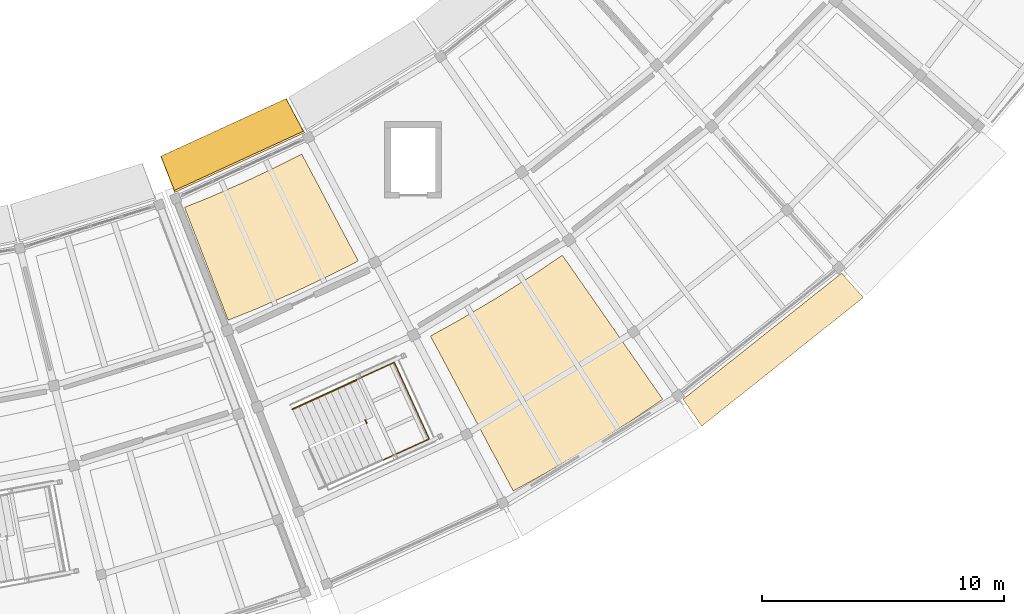
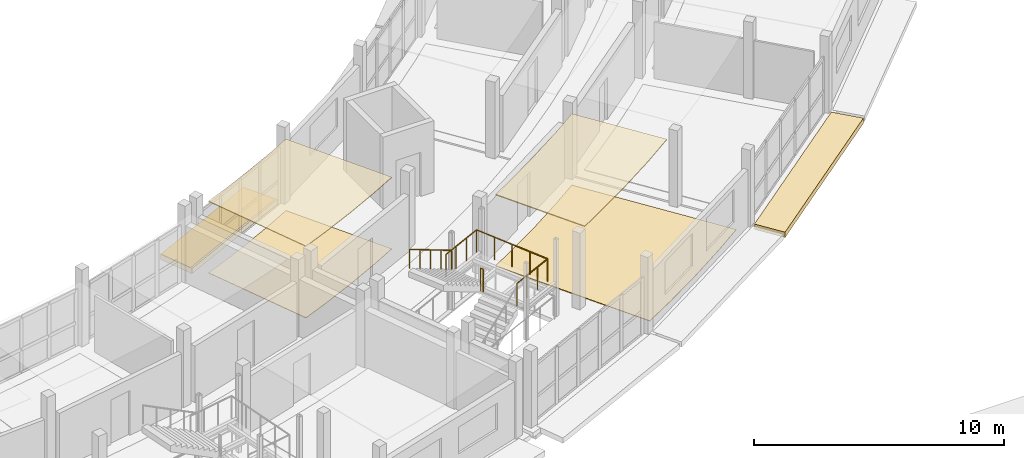
# One storey, part 65 of 66: 6 coverings, 3 railings, 1 shading device.
"""IFC4 building model written with IfcOpenShell, lengths in metres."""

from ifc_helpers import new_model, si_unit, direction, frame, origin, origin_2d, place, context, subcontext, project, spatial, polyline, circle, outline, extrude, material, layer, layer_set, type_object, element, save


model = new_model("IFC4")

# Units and contexts
model_context = context("Model", 3, precision=1e-05, world=origin(), true_north=direction((0.0, 1.0)))
body_context = subcontext(model_context, "Body", "Model", "MODEL_VIEW")
ifc_project = project(units=[si_unit("LENGTHUNIT", "METRE"), si_unit("AREAUNIT", "SQUARE_METRE"), si_unit("VOLUMEUNIT", "CUBIC_METRE"), si_unit("PLANEANGLEUNIT", "RADIAN"), si_unit("MASSUNIT", "GRAM", prefix="KILO")], contexts=[model_context])

# Site, building, storey
site_placement = place(None, origin())
site = spatial("IfcSite", under=ifc_project, at=site_placement, CompositionType="ELEMENT")
building_placement = place(site_placement, origin())
building = spatial("IfcBuilding", under=site, at=building_placement, Name="Caldaven Crescent School", CompositionType="ELEMENT")
storey_placement = place(building_placement, frame((0.0, 0.0, 8.159912109375)))
storey = spatial("IfcBuildingStorey", under=building, at=storey_placement, Name="L02", CompositionType="ELEMENT", Elevation=8.159912109375)

# Coverings
ifc_material_1 = material(Name="White architectural GFRC precast concrete C35/45 cladding", Category="concrete")
ifc_layer_1 = layer(ifc_material_1, 0.260009765625)
ifc_layer_set_1 = layer_set([ifc_layer_1], Name="White architectural GFRC precast concrete C35/45 cladding")
covering_type_1 = type_object("IfcCoveringType", Name="COV-CLD2", PredefinedType="CLADDING", material=ifc_layer_set_1)
covering_1_placement = place(storey_placement, frame((0.0, 0.0, -0.260009765625)))
element("IfcCovering", 1, at=covering_1_placement, inside=storey, type_object=covering_type_1, Name="CLD-IN-L02-053", PredefinedType="CLADDING", context=body_context, shape_type="SweptSolid", body=[
    extrude(outline(polyline([(106.507568359375, 48.90625), (111.70849609375, 51.298095703125), (112.458251953125, 49.884521484375), (107.0927734375, 47.4169921875), (106.507568359375, 48.90625)])), origin(), (0.0, 0.0, 1.0), 0.260009765625),
])
covering_2_placement = place(storey_placement, frame((0.0, 0.0, -0.260009765625)))
element("IfcCovering", 2, at=covering_2_placement, inside=storey, type_object=covering_type_1, Name="CLD-OUT-L02-058", PredefinedType="CLADDING", context=body_context, shape_type="SweptSolid", body=[
    extrude(outline(polyline([(128.095458984375, 38.865234375), (134.65087890625, 44.07958984375), (135.55322265625, 43.075439453125), (128.87109375, 37.760009765625), (128.095458984375, 38.865234375)])), origin(), (0.0, 0.0, 1.0), 0.260009765625),
])
ifc_material_2 = material(Name="Perforated Pino Radiata acoustic timber baffle ceiling", Category="wood")
ifc_layer_2 = layer(ifc_material_2, 0.0380859375)
ifc_layer_set_2 = layer_set([ifc_layer_2], Name="Perforated Pino Radiata acoustic timber baffle ceiling")
covering_type_2 = type_object("IfcCoveringType", Name="COV-CLG2", PredefinedType="CEILING", material=ifc_layer_set_2)
covering_3_placement = place(storey_placement, frame((0.0, 0.0, 3.482177734375)))
element("IfcCovering", 3, at=covering_3_placement, inside=storey, type_object=covering_type_2, Name="CLG-L02-157", PredefinedType="CEILING", context=body_context, shape_type="SweptSolid", body=[
    extrude(outline(polyline([(108.5185546875, 47.208984375), (108.53076171875, 47.214111328125), (109.943603515625, 47.8330078125), (109.955810546875, 47.83837890625), (111.349853515625, 48.498779296875), (111.36181640625, 48.504638671875), (112.341064453125, 49.004150390625), (114.677978515625, 44.584228515625), (113.56201171875, 44.014892578125), (112.023193359375, 43.285888671875), (110.46337890625, 42.6025390625), (109.3017578125, 42.1337890625), (107.4990234375, 46.797607421875), (108.5185546875, 47.208984375)])), origin(), (0.0, 0.0, 1.0), 0.037841796875),
])
ifc_layer_3 = layer(ifc_material_2, 0.0458984375)
ifc_layer_set_3 = layer_set([ifc_layer_3], Name="Perforated Pino Radiata acoustic timber baffle ceiling")
covering_type_3 = type_object("IfcCoveringType", Name="COV-CLG3", PredefinedType="CEILING", material=ifc_layer_set_3)
covering_4_placement = place(storey_placement, frame((0.0, 0.0, 3.47412109375)))
element("IfcCovering", 4, at=covering_4_placement, inside=storey, type_object=covering_type_3, Name="CLG-L02-158", PredefinedType="CEILING", context=body_context, shape_type="SweptSolid", body=[
    extrude(outline(polyline([(118.856201171875, 42.14306640625), (118.86767578125, 42.149658203125), (120.42578125, 43.0732421875), (120.43701171875, 43.080078125), (121.96728515625, 44.049072265625), (121.978515625, 44.056396484375), (123.112060546875, 44.82177734375), (125.51171875, 41.3779296875), (124.08740234375, 40.41748046875), (122.13818359375, 39.19970703125), (120.14794921875, 38.0498046875), (119.638671875, 37.77880859375), (117.659423828125, 41.48046875), (118.856201171875, 42.14306640625)])), origin(), (0.0, 0.0, 1.0), 0.0458984375),
])
ifc_material_3 = material(Name="Polished terrazzo and acoustic linoleum flooring")
ifc_layer_4 = layer(ifc_material_3, 0.02587890625)
ifc_layer_set_4 = layer_set([ifc_layer_4], Name="Polished terrazzo and acoustic linoleum flooring")
covering_type_4 = type_object("IfcCoveringType", Name="COV-FLR2", PredefinedType="FLOORING", material=ifc_layer_set_4)
covering_5_placement = place(storey_placement, origin())
element("IfcCovering", 5, at=covering_5_placement, inside=storey, type_object=covering_type_4, Name="FLR-L02-157", PredefinedType="FLOORING", context=body_context, shape_type="SweptSolid", body=[
    extrude(outline(polyline([(107.4990234375, 46.797607421875), (108.5185546875, 47.208984375), (108.53076171875, 47.214111328125), (109.943603515625, 47.8330078125), (109.955810546875, 47.83837890625), (111.349853515625, 48.498779296875), (111.36181640625, 48.504638671875), (112.341064453125, 49.004150390625), (114.677978515625, 44.584228515625), (113.56201171875, 44.014892578125), (112.023193359375, 43.285888671875), (110.46337890625, 42.6025390625), (109.3017578125, 42.1337890625), (107.4990234375, 46.797607421875)])), origin(), (0.0, 0.0, 1.0), 0.026123046875),
])
ifc_layer_5 = layer(ifc_material_3, 0.031982421875)
ifc_layer_set_5 = layer_set([ifc_layer_5], Name="Polished terrazzo and acoustic linoleum flooring")
covering_type_5 = type_object("IfcCoveringType", Name="COV-FLR3", PredefinedType="FLOORING", material=ifc_layer_set_5)
covering_6_placement = place(storey_placement, origin())
element("IfcCovering", 6, at=covering_6_placement, inside=storey, type_object=covering_type_5, Name="FLR-L02-158", PredefinedType="FLOORING", context=body_context, shape_type="SweptSolid", body=[
    extrude(outline(polyline([(117.659423828125, 41.48046875), (118.856201171875, 42.14306640625), (118.86767578125, 42.149658203125), (120.42578125, 43.0732421875), (120.43701171875, 43.080078125), (121.96728515625, 44.049072265625), (121.978515625, 44.056396484375), (123.112060546875, 44.82177734375), (127.2626953125, 38.865234375), (125.946533203125, 37.976806640625), (124.224853515625, 36.886474609375), (122.4716796875, 35.847412109375), (121.08251953125, 35.078125), (117.659423828125, 41.48046875)])), origin(), (0.0, 0.0, 1.0), 0.031982421875),
])

# Railings
ifc_material_4 = material(Name="Brushed stainless-steel continuous tubular handrail", Category="steel")
railing_type_1 = type_object("IfcRailingType", Name="RAL-HR4", PredefinedType="HANDRAIL", material=ifc_material_4)
railing_1_placement = place(storey_placement, frame((114.59765625, 39.662353515625, 2.04296875)))
element("IfcRailing", 7, at=railing_1_placement, inside=storey, type_object=railing_type_1, Name="HR-ST4-L02-F2", PredefinedType="HANDRAIL", context=body_context, shape_type="SweptSolid", body=[
    extrude(circle(Radius=0.02392578125, at=origin_2d()), frame((0.0, 0.0, 0.916015625), z_axis=(-0.784999710315, -0.357748965955, 0.505757977855), x_axis=(0.414697069895, -0.909959526694, 0.0)), (0.0, 0.0, 1.0), 3.361572265625),
    extrude(circle(Radius=0.02099609375, at=origin_2d()), origin(), (0.0, 0.0, 1.0), 0.891845703125),
    extrude(circle(Radius=0.02099609375, at=origin_2d()), frame((-0.65966796875, -0.30078125, 0.425048828125)), (0.0, 0.0, 1.0), 0.891845703125),
    extrude(circle(Radius=0.02099609375, at=origin_2d()), frame((-1.3193359375, -0.601318359375, 0.85009765625)), (0.0, 0.0, 1.0), 0.891845703125),
    extrude(circle(Radius=0.02099609375, at=origin_2d()), frame((-1.979248046875, -0.90185546875, 1.275146484375)), (0.0, 0.0, 1.0), 0.891845703125),
    extrude(circle(Radius=0.02099609375, at=origin_2d()), frame((-2.638916015625, -1.20263671875, 1.7001953125)), (0.0, 0.0, 1.0), 0.891845703125),
])
ifc_material_5 = material(Name="Powder-coated tubular steel balustrade ASTM A572 Grade 50", Category="steel")
railing_type_2 = type_object("IfcRailingType", Name="RAL-INT2", PredefinedType="BALUSTRADE", material=ifc_material_5)
railing_2_placement = place(storey_placement, frame((115.688720703125, 36.351806640625, 1.8701171875)))
element("IfcRailing", 8, at=railing_2_placement, inside=storey, type_object=railing_type_2, Name="GD-LND-ST4-L02", PredefinedType="BALUSTRADE", context=body_context, shape_type="SweptSolid", body=[
    extrude(circle(Radius=0.02392578125, at=origin_2d()), frame((0.0, 0.0, 1.09619140625), z_axis=(0.909973800764, 0.414665747227, 0.0), x_axis=(-0.414665747227, 0.909973800764, 0.0)), (0.0, 0.0, 1.0), 2.110107421875),
    extrude(circle(Radius=0.02392578125, at=origin_2d()), frame((1.920166015625, 0.875, 1.09619140625), z_axis=(-0.41470663112, 0.909955169283, 0.0), x_axis=(-0.909955169283, -0.41470663112, 0.0)), (0.0, 0.0, 1.0), 3.479736328125),
    extrude(circle(Radius=0.02392578125, at=origin_2d()), frame((0.47705078125, 4.04150390625, 1.09619140625), z_axis=(-0.909973800764, -0.414665747227, 0.0), x_axis=(0.414665747227, -0.909973800764, 0.0)), (0.0, 0.0, 1.0), 2.110107421875),
    extrude(circle(Radius=0.02099609375, at=origin_2d()), origin(), (0.0, 0.0, 1.0), 1.072021484375),
    extrude(circle(Radius=0.02099609375, at=origin_2d()), frame((0.64013671875, 0.291748046875, 0.0)), (0.0, 0.0, 1.0), 1.072021484375),
    extrude(circle(Radius=0.02099609375, at=origin_2d()), frame((1.280029296875, 0.583251953125, 0.0)), (0.0, 0.0, 1.0), 1.072021484375),
    extrude(circle(Radius=0.02099609375, at=origin_2d()), frame((1.920166015625, 0.875, 0.0)), (0.0, 0.0, 1.0), 1.072021484375),
    extrude(circle(Radius=0.02099609375, at=origin_2d()), frame((1.559326171875, 1.66650390625, 0.0)), (0.0, 0.0, 1.0), 1.072021484375),
    extrude(circle(Radius=0.02099609375, at=origin_2d()), frame((1.19873046875, 2.458251953125, 0.0)), (0.0, 0.0, 1.0), 1.072021484375),
    extrude(circle(Radius=0.02099609375, at=origin_2d()), frame((0.837890625, 3.25, 0.0)), (0.0, 0.0, 1.0), 1.072021484375),
    extrude(circle(Radius=0.02099609375, at=origin_2d()), frame((0.47705078125, 4.04150390625, 0.0)), (0.0, 0.0, 1.0), 1.072021484375),
    extrude(circle(Radius=0.02099609375, at=origin_2d()), frame((-0.1630859375, 3.749755859375, 0.0)), (0.0, 0.0, 1.0), 1.072021484375),
    extrude(circle(Radius=0.02099609375, at=origin_2d()), frame((-0.802978515625, 3.458251953125, 0.0)), (0.0, 0.0, 1.0), 1.072021484375),
    extrude(circle(Radius=0.02099609375, at=origin_2d()), frame((-1.443115234375, 3.16650390625, 0.0)), (0.0, 0.0, 1.0), 1.072021484375),
])
railing_3_placement = place(storey_placement, frame((115.023681640625, 37.8837890625, 1.8701171875)))
element("IfcRailing", 9, at=railing_3_placement, inside=storey, type_object=railing_type_2, Name="GD-SLT-ST4-L02", PredefinedType="BALUSTRADE", context=body_context, shape_type="SweptSolid", body=[
    extrude(circle(Radius=0.02392578125, at=origin_2d()), frame((0.0, 0.0, 1.09619140625), z_axis=(-0.414853292937, 0.909888314761, 0.0), x_axis=(-0.909888314761, -0.414853292937, 0.0)), (0.0, 0.0, 1.0), 0.14013671875),
    extrude(circle(Radius=0.02099609375, at=origin_2d()), origin(), (0.0, 0.0, 1.0), 1.072021484375),
    extrude(circle(Radius=0.02099609375, at=origin_2d()), frame((-0.05810546875, 0.12744140625, 0.0)), (0.0, 0.0, 1.0), 1.072021484375),
])

# Shading device
ifc_material_6 = material(Name="Precast concrete C35/45", Category="concrete")
ifc_layer_6 = layer(ifc_material_6, 0.1298828125)
ifc_layer_set_6 = layer_set([ifc_layer_6], Name="Precast concrete C35/45")
shading_device_type = type_object("IfcShadingDeviceType", Name="SHD-S02", PredefinedType="AWNING", material=ifc_layer_set_6)
shading_device_placement = place(storey_placement, frame((0.0, 0.0, -0.1298828125)))
element("IfcShadingDevice", 10, at=shading_device_placement, inside=storey, type_object=shading_device_type, Name="SHD-LDG-L02-039", PredefinedType="AWNING", context=body_context, shape_type="SweptSolid", body=[
    extrude(outline(polyline([(106.52392578125, 48.91259765625), (111.69287109375, 51.289794921875), (112.404541015625, 49.946533203125), (107.08056640625, 47.498046875), (106.52392578125, 48.91259765625)])), origin(), (0.0, 0.0, 1.0), 0.1298828125),
])

save(model, "model.ifc")
